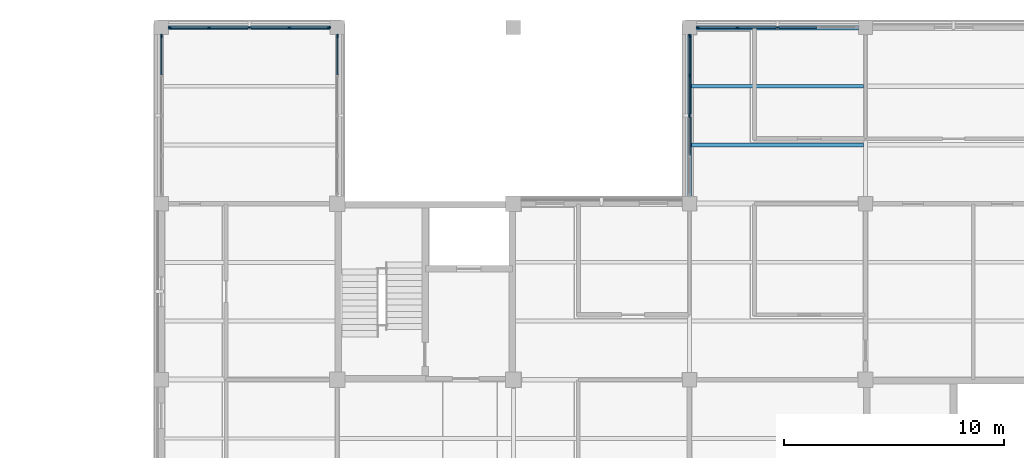
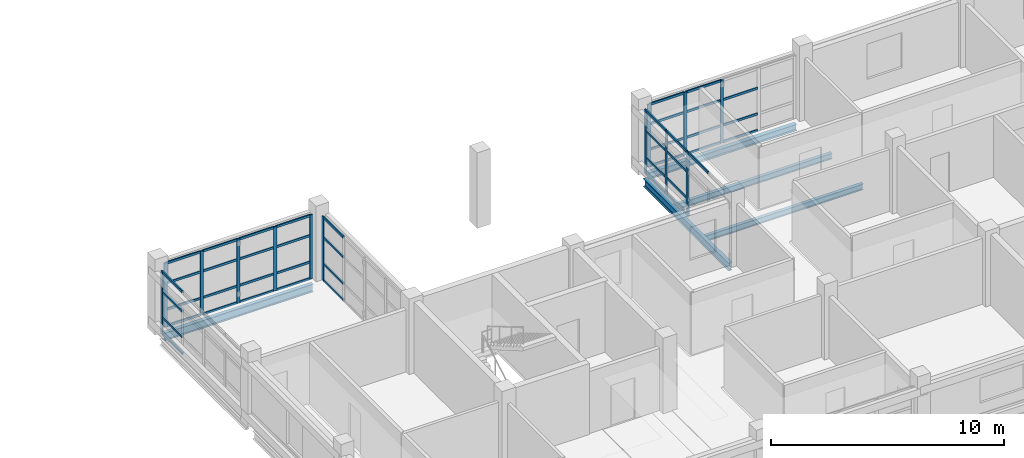
# One storey, part 53 of 107: 57 members, 5 beams, 5 elements without a shape of their own.
"""IFC4 building model written with IfcOpenShell, lengths in metres."""

from ifc_helpers import new_model, si_unit, derived_unit, direction, frame, origin, origin_2d, place, context, subcontext, project, spatial, rectangle, i_section, extrude, material, layer, layer_set, material_profile, profile_set, type_object, element, aggregate, save


model = new_model("IFC4")

# Units and contexts
model_context = context("Model", 3, precision=1e-05, world=origin(), true_north=direction((0.0, 1.0)))
body_context = subcontext(model_context, "Body", "Model", "MODEL_VIEW")
ifc_project = project(units=[si_unit("LENGTHUNIT", "METRE"), si_unit("AREAUNIT", "SQUARE_METRE"), si_unit("VOLUMEUNIT", "CUBIC_METRE"), si_unit("PLANEANGLEUNIT", "RADIAN"), si_unit("MASSUNIT", "GRAM", prefix="KILO"), derived_unit("THERMALTRANSMITTANCEUNIT", [(si_unit("MASSUNIT", "GRAM", prefix="KILO"), 1), (si_unit("TIMEUNIT", "SECOND"), -3), (si_unit("THERMODYNAMICTEMPERATUREUNIT", "KELVIN"), -1)])], contexts=[model_context])

# Site, building, storey
site_placement = place(None, origin())
site = spatial("IfcSite", under=ifc_project, at=site_placement, CompositionType="ELEMENT")
building_placement = place(site_placement, origin())
building = spatial("IfcBuilding", under=site, at=building_placement, Name="Veyamyaing Civic Hall", CompositionType="ELEMENT")
storey_placement = place(building_placement, frame((0.0, 0.0, 13.860107421875)))
storey = spatial("IfcBuildingStorey", under=building, at=storey_placement, Name="L03", CompositionType="ELEMENT", Elevation=13.860107421875)

# Beams
ifc_material_1 = material(Name="Steel ASTM A992", Category="steel")
ifc_material_profile_1 = material_profile(ifc_material_1, i_section(OverallWidth=0.179931640625, OverallDepth=0.4130859375, WebThickness=0.009765625, FlangeThickness=0.01611328125, FilletRadius=0.010009765625, at=origin_2d()), Name="W410X74")
ifc_profile_set_1 = profile_set([ifc_material_profile_1], Name="Steel ASTM A992")
beam_type_1 = type_object("IfcBeamType", Name="B-10", PredefinedType="SPANDREL", material=ifc_profile_set_1)
beam_1_placement = place(storey_placement, frame((152.0, 104.324951171875, -0.461669921875), z_axis=(0.0, 1.0, 0.0), x_axis=(-1.0, 0.0, 0.0)))
element("IfcBeam", 1, at=beam_1_placement, inside=storey, type_object=beam_type_1, Name="Girder B-10 L03 Grid 20 P-Q", PredefinedType="SPANDREL", context=body_context, shape_type="SweptSolid", body=[
    extrude(i_section(OverallWidth=0.179931640625, OverallDepth=0.4130859375, WebThickness=0.009765625, FlangeThickness=0.01611328125, FilletRadius=0.010009765625, at=origin_2d()), origin(), (0.0, 0.0, 1.0), 7.35009765625),
])
ifc_material_profile_2 = material_profile(ifc_material_1, i_section(OverallWidth=0.2041015625, OverallDepth=0.35009765625, WebThickness=0.0078125, FlangeThickness=0.01513671875, FilletRadius=0.010009765625, at=origin_2d()), Name="W360X72")
ifc_profile_set_2 = profile_set([ifc_material_profile_2], Name="Steel ASTM A992")
beam_type_2 = type_object("IfcBeamType", Name="B-11", PredefinedType="SPANDREL", material=ifc_profile_set_2)
beam_2_placement = place(storey_placement, frame((152.324951171875, 112.0, -0.43017578125), z_axis=(1.0, 0.0, 0.0), x_axis=(0.0, 1.0, 0.0)))
element("IfcBeam", 2, at=beam_2_placement, inside=storey, type_object=beam_type_2, Name="Girder B-11 L03 Grid Q 20-21", PredefinedType="SPANDREL", context=body_context, shape_type="SweptSolid", body=[
    extrude(i_section(OverallWidth=0.2041015625, OverallDepth=0.35009765625, WebThickness=0.0078125, FlangeThickness=0.01513671875, FilletRadius=0.010009765625, at=origin_2d()), origin(), (0.0, 0.0, 1.0), 7.35009765625),
])
ifc_material_profile_3 = material_profile(ifc_material_1, i_section(OverallWidth=0.180908203125, OverallDepth=0.4169921875, WebThickness=0.010986328125, FlangeThickness=0.018310546875, FilletRadius=0.010009765625, at=origin_2d()), Name="W410X85")
ifc_profile_set_3 = profile_set([ifc_material_profile_3], Name="Steel ASTM A992")
beam_type_3 = type_object("IfcBeamType", Name="B-19", PredefinedType="SPANDREL", material=ifc_profile_set_3)
beam_3_placement = place(storey_placement, frame((128.324951171875, 112.0, -0.463623046875), z_axis=(1.0, 0.0, 0.0), x_axis=(0.0, 1.0, 0.0)))
element("IfcBeam", 3, at=beam_3_placement, inside=storey, type_object=beam_type_3, Name="Girder B-19 L03 Grid Q 17-18", PredefinedType="SPANDREL", context=body_context, shape_type="SweptSolid", body=[
    extrude(i_section(OverallWidth=0.180908203125, OverallDepth=0.4169921875, WebThickness=0.010986328125, FlangeThickness=0.018310546875, FilletRadius=0.010009765625, at=origin_2d()), origin(), (0.0, 0.0, 1.0), 7.35009765625),
])

# Curtain wall, members
ifc_material_2 = material(Name="Anodised aluminium 6063-T6", Category="aluminium")
ifc_layer = layer(ifc_material_2, 0.159912109375, Name="Anodised aluminium 6063-T6")
ifc_layer_set = layer_set([ifc_layer], Name="Anodised aluminium 6063-T6")
curtain_wall_type = type_object("IfcCurtainWallType", Name="CW-07", PredefinedType="NOTDEFINED", material=ifc_layer_set)
curtain_wall_1_placement = place(storey_placement, origin())
curtain_wall_1 = element("IfcCurtainWall", 4, at=curtain_wall_1_placement, inside=storey, type_object=curtain_wall_type, Name="Unitized curtain wall CW-07 L03 N 17.14", PredefinedType="NOTDEFINED")
ifc_material_profile_4 = material_profile(ifc_material_2, rectangle(XDim=0.06494140625, YDim=0.159912109375, at=origin_2d()), Name="ALU-MUL-65X160")
ifc_profile_set_4 = profile_set([ifc_material_profile_4], Name="Anodised aluminium 6063-T6")
member_type_1 = type_object("IfcMemberType", Name="CWM-01", PredefinedType="MULLION", material=ifc_profile_set_4)
member_1_placement = place(storey_placement, frame((128.387451171875, 112.0, 0.0), z_axis=(0.0, 0.0, 1.0), x_axis=(0.0, 1.0, 0.0)))
member_1 = element("IfcMember", 5, at=member_1_placement, type_object=member_type_1, Name="CW-07 mullion 1", PredefinedType="MULLION", context=body_context, shape_type="SweptSolid", body=[
    extrude(rectangle(XDim=0.06494140625, YDim=0.159912109375, at=origin_2d()), origin(), (0.0, 0.0, 1.0), 3.364013671875),
])
member_2_placement = place(storey_placement, frame((130.177490234375, 112.0, 0.0), z_axis=(0.0, 0.0, 1.0), x_axis=(0.0, 1.0, 0.0)))
member_2 = element("IfcMember", 6, at=member_2_placement, type_object=member_type_1, Name="CW-07 mullion 2", PredefinedType="MULLION", context=body_context, shape_type="SweptSolid", body=[
    extrude(rectangle(XDim=0.06494140625, YDim=0.159912109375, at=origin_2d()), origin(), (0.0, 0.0, 1.0), 3.364013671875),
])
member_3_placement = place(storey_placement, frame((132.0, 112.0, 0.0), z_axis=(0.0, 0.0, 1.0), x_axis=(0.0, 1.0, 0.0)))
member_3 = element("IfcMember", 7, at=member_3_placement, type_object=member_type_1, Name="CW-07 mullion 3", PredefinedType="MULLION", context=body_context, shape_type="SweptSolid", body=[
    extrude(rectangle(XDim=0.06494140625, YDim=0.159912109375, at=origin_2d()), origin(), (0.0, 0.0, 1.0), 3.364013671875),
])
member_4_placement = place(storey_placement, frame((133.822509765625, 112.0, 0.0), z_axis=(0.0, 0.0, 1.0), x_axis=(0.0, 1.0, 0.0)))
member_4 = element("IfcMember", 8, at=member_4_placement, type_object=member_type_1, Name="CW-07 mullion 4", PredefinedType="MULLION", context=body_context, shape_type="SweptSolid", body=[
    extrude(rectangle(XDim=0.06494140625, YDim=0.159912109375, at=origin_2d()), origin(), (0.0, 0.0, 1.0), 3.364013671875),
])
member_5_placement = place(storey_placement, frame((135.612548828125, 112.0, 0.0), z_axis=(0.0, 0.0, 1.0), x_axis=(0.0, 1.0, 0.0)))
member_5 = element("IfcMember", 9, at=member_5_placement, type_object=member_type_1, Name="CW-07 mullion 5", PredefinedType="MULLION", context=body_context, shape_type="SweptSolid", body=[
    extrude(rectangle(XDim=0.06494140625, YDim=0.159912109375, at=origin_2d()), origin(), (0.0, 0.0, 1.0), 3.364013671875),
])

# Curtain wall, member
curtain_wall_2_placement = place(storey_placement, origin())
curtain_wall_2 = element("IfcCurtainWall", 10, at=curtain_wall_2_placement, inside=storey, type_object=curtain_wall_type, Name="Unitized curtain wall CW-07 L03 W 17.14", PredefinedType="NOTDEFINED")
member_6_placement = place(storey_placement, frame((128.0, 111.612548828125, 0.0), z_axis=(0.0, 0.0, 1.0), x_axis=(-1.0, 0.0, 0.0)))
member_6 = element("IfcMember", 11, at=member_6_placement, type_object=member_type_1, Name="CW-07 mullion 5", PredefinedType="MULLION", context=body_context, shape_type="SweptSolid", body=[
    extrude(rectangle(XDim=0.06494140625, YDim=0.159912109375, at=origin_2d()), origin(), (0.0, 0.0, 1.0), 3.2998046875),
])

curtain_wall_3_placement = place(storey_placement, origin())
curtain_wall_3 = element("IfcCurtainWall", 12, at=curtain_wall_3_placement, inside=storey, type_object=curtain_wall_type, Name="Unitized curtain wall CW-07 L03 E 17.14", PredefinedType="NOTDEFINED")
member_7_placement = place(storey_placement, frame((136.0, 111.612548828125, 0.0), z_axis=(0.0, 0.0, 1.0), x_axis=(-1.0, 0.0, 0.0)))
member_7 = element("IfcMember", 13, at=member_7_placement, type_object=member_type_1, Name="CW-07 mullion 5", PredefinedType="MULLION", context=body_context, shape_type="SweptSolid", body=[
    extrude(rectangle(XDim=0.06494140625, YDim=0.159912109375, at=origin_2d()), origin(), (0.0, 0.0, 1.0), 3.364013671875),
])

# Curtain wall, members
curtain_wall_4_placement = place(storey_placement, origin())
curtain_wall_4 = element("IfcCurtainWall", 14, at=curtain_wall_4_placement, inside=storey, type_object=curtain_wall_type, Name="Unitized curtain wall CW-07 L03 N 20.14", PredefinedType="NOTDEFINED")
member_8_placement = place(storey_placement, frame((152.387451171875, 112.0, 0.0), z_axis=(0.0, 0.0, 1.0), x_axis=(0.0, 1.0, 0.0)))
member_8 = element("IfcMember", 15, at=member_8_placement, type_object=member_type_1, Name="CW-07 mullion 1", PredefinedType="MULLION", context=body_context, shape_type="SweptSolid", body=[
    extrude(rectangle(XDim=0.06494140625, YDim=0.159912109375, at=origin_2d()), origin(), (0.0, 0.0, 1.0), 3.2998046875),
])
member_9_placement = place(storey_placement, frame((154.177490234375, 112.0, 0.0), z_axis=(0.0, 0.0, 1.0), x_axis=(0.0, 1.0, 0.0)))
member_9 = element("IfcMember", 16, at=member_9_placement, type_object=member_type_1, Name="CW-07 mullion 2", PredefinedType="MULLION", context=body_context, shape_type="SweptSolid", body=[
    extrude(rectangle(XDim=0.06494140625, YDim=0.159912109375, at=origin_2d()), origin(), (0.0, 0.0, 1.0), 3.2998046875),
])
member_10_placement = place(storey_placement, frame((156.0, 112.0, 0.0), z_axis=(0.0, 0.0, 1.0), x_axis=(0.0, 1.0, 0.0)))
member_10 = element("IfcMember", 17, at=member_10_placement, type_object=member_type_1, Name="CW-07 mullion 3", PredefinedType="MULLION", context=body_context, shape_type="SweptSolid", body=[
    extrude(rectangle(XDim=0.06494140625, YDim=0.159912109375, at=origin_2d()), origin(), (0.0, 0.0, 1.0), 3.2998046875),
])

curtain_wall_5_placement = place(storey_placement, origin())
curtain_wall_5 = element("IfcCurtainWall", 18, at=curtain_wall_5_placement, inside=storey, type_object=curtain_wall_type, Name="Unitized curtain wall CW-07 L03 W 20.14", PredefinedType="NOTDEFINED")
member_11_placement = place(storey_placement, frame((152.0, 108.0, 0.0), z_axis=(0.0, 0.0, 1.0), x_axis=(-1.0, 0.0, 0.0)))
member_11 = element("IfcMember", 19, at=member_11_placement, type_object=member_type_1, Name="CW-07 mullion 3", PredefinedType="MULLION", context=body_context, shape_type="SweptSolid", body=[
    extrude(rectangle(XDim=0.06494140625, YDim=0.159912109375, at=origin_2d()), origin(), (0.0, 0.0, 1.0), 3.366943359375),
])
member_12_placement = place(storey_placement, frame((152.0, 109.822509765625, 0.0), z_axis=(0.0, 0.0, 1.0), x_axis=(-1.0, 0.0, 0.0)))
member_12 = element("IfcMember", 20, at=member_12_placement, type_object=member_type_1, Name="CW-07 mullion 4", PredefinedType="MULLION", context=body_context, shape_type="SweptSolid", body=[
    extrude(rectangle(XDim=0.06494140625, YDim=0.159912109375, at=origin_2d()), origin(), (0.0, 0.0, 1.0), 3.366943359375),
])
member_13_placement = place(storey_placement, frame((152.0, 111.612548828125, 0.0), z_axis=(0.0, 0.0, 1.0), x_axis=(-1.0, 0.0, 0.0)))
member_13 = element("IfcMember", 21, at=member_13_placement, type_object=member_type_1, Name="CW-07 mullion 5", PredefinedType="MULLION", context=body_context, shape_type="SweptSolid", body=[
    extrude(rectangle(XDim=0.06494140625, YDim=0.159912109375, at=origin_2d()), origin(), (0.0, 0.0, 1.0), 3.366943359375),
])

# Member
ifc_material_profile_5 = material_profile(ifc_material_2, rectangle(XDim=0.06494140625, YDim=0.1201171875, at=origin_2d()), Name="ALU-TRN-65X120")
ifc_profile_set_5 = profile_set([ifc_material_profile_5], Name="Anodised aluminium 6063-T6")
member_type_2 = type_object("IfcMemberType", Name="CWT-01", PredefinedType="USERDEFINED", material=ifc_profile_set_5)
member_14_placement = place(storey_placement, frame((128.419921875, 112.0, 0.032470703125), z_axis=(1.0, 0.0, 0.0), x_axis=(0.0, 1.0, 0.0)))
member_14 = element("IfcMember", 22, at=member_14_placement, type_object=member_type_2, Name="CW-07 transom 1.1", ObjectType="TRANSOM", PredefinedType="USERDEFINED", context=body_context, shape_type="SweptSolid", body=[
    extrude(rectangle(XDim=0.06494140625, YDim=0.1201171875, at=origin_2d()), origin(), (0.0, 0.0, 1.0), 1.72509765625),
])

member_15_placement = place(storey_placement, frame((128.419921875, 112.0, 0.89990234375), z_axis=(1.0, 0.0, 0.0), x_axis=(0.0, 1.0, 0.0)))
member_15 = element("IfcMember", 23, at=member_15_placement, type_object=member_type_2, Name="CW-07 transom 1.2", ObjectType="TRANSOM", PredefinedType="USERDEFINED", context=body_context, shape_type="SweptSolid", body=[
    extrude(rectangle(XDim=0.06494140625, YDim=0.1201171875, at=origin_2d()), origin(), (0.0, 0.0, 1.0), 1.72509765625),
])

member_16_placement = place(storey_placement, frame((128.419921875, 112.0, 2.287353515625), z_axis=(1.0, 0.0, 0.0), x_axis=(0.0, 1.0, 0.0)))
member_16 = element("IfcMember", 24, at=member_16_placement, type_object=member_type_2, Name="CW-07 transom 1.3", ObjectType="TRANSOM", PredefinedType="USERDEFINED", context=body_context, shape_type="SweptSolid", body=[
    extrude(rectangle(XDim=0.06494140625, YDim=0.1201171875, at=origin_2d()), origin(), (0.0, 0.0, 1.0), 1.72509765625),
])

member_17_placement = place(storey_placement, frame((128.419921875, 112.0, 3.331298828125), z_axis=(1.0, 0.0, 0.0), x_axis=(0.0, 1.0, 0.0)))
member_17 = element("IfcMember", 25, at=member_17_placement, type_object=member_type_2, Name="CW-07 transom 1.4", ObjectType="TRANSOM", PredefinedType="USERDEFINED", context=body_context, shape_type="SweptSolid", body=[
    extrude(rectangle(XDim=0.06494140625, YDim=0.1201171875, at=origin_2d()), origin(), (0.0, 0.0, 1.0), 1.72509765625),
])

member_18_placement = place(storey_placement, frame((130.2099609375, 112.0, 0.032470703125), z_axis=(1.0, 0.0, 0.0), x_axis=(0.0, 1.0, 0.0)))
member_18 = element("IfcMember", 26, at=member_18_placement, type_object=member_type_2, Name="CW-07 transom 2.1", ObjectType="TRANSOM", PredefinedType="USERDEFINED", context=body_context, shape_type="SweptSolid", body=[
    extrude(rectangle(XDim=0.06494140625, YDim=0.1201171875, at=origin_2d()), origin(), (0.0, 0.0, 1.0), 1.757568359375),
])

member_19_placement = place(storey_placement, frame((130.2099609375, 112.0, 0.89990234375), z_axis=(1.0, 0.0, 0.0), x_axis=(0.0, 1.0, 0.0)))
member_19 = element("IfcMember", 27, at=member_19_placement, type_object=member_type_2, Name="CW-07 transom 2.2", ObjectType="TRANSOM", PredefinedType="USERDEFINED", context=body_context, shape_type="SweptSolid", body=[
    extrude(rectangle(XDim=0.06494140625, YDim=0.1201171875, at=origin_2d()), origin(), (0.0, 0.0, 1.0), 1.757568359375),
])

member_20_placement = place(storey_placement, frame((130.2099609375, 112.0, 2.287353515625), z_axis=(1.0, 0.0, 0.0), x_axis=(0.0, 1.0, 0.0)))
member_20 = element("IfcMember", 28, at=member_20_placement, type_object=member_type_2, Name="CW-07 transom 2.3", ObjectType="TRANSOM", PredefinedType="USERDEFINED", context=body_context, shape_type="SweptSolid", body=[
    extrude(rectangle(XDim=0.06494140625, YDim=0.1201171875, at=origin_2d()), origin(), (0.0, 0.0, 1.0), 1.757568359375),
])

member_21_placement = place(storey_placement, frame((130.2099609375, 112.0, 3.331298828125), z_axis=(1.0, 0.0, 0.0), x_axis=(0.0, 1.0, 0.0)))
member_21 = element("IfcMember", 29, at=member_21_placement, type_object=member_type_2, Name="CW-07 transom 2.4", ObjectType="TRANSOM", PredefinedType="USERDEFINED", context=body_context, shape_type="SweptSolid", body=[
    extrude(rectangle(XDim=0.06494140625, YDim=0.1201171875, at=origin_2d()), origin(), (0.0, 0.0, 1.0), 1.757568359375),
])

member_22_placement = place(storey_placement, frame((132.032470703125, 112.0, 0.032470703125), z_axis=(1.0, 0.0, 0.0), x_axis=(0.0, 1.0, 0.0)))
member_22 = element("IfcMember", 30, at=member_22_placement, type_object=member_type_2, Name="CW-07 transom 3.1", ObjectType="TRANSOM", PredefinedType="USERDEFINED", context=body_context, shape_type="SweptSolid", body=[
    extrude(rectangle(XDim=0.06494140625, YDim=0.1201171875, at=origin_2d()), origin(), (0.0, 0.0, 1.0), 1.757568359375),
])

member_23_placement = place(storey_placement, frame((132.032470703125, 112.0, 0.89990234375), z_axis=(1.0, 0.0, 0.0), x_axis=(0.0, 1.0, 0.0)))
member_23 = element("IfcMember", 31, at=member_23_placement, type_object=member_type_2, Name="CW-07 transom 3.2", ObjectType="TRANSOM", PredefinedType="USERDEFINED", context=body_context, shape_type="SweptSolid", body=[
    extrude(rectangle(XDim=0.06494140625, YDim=0.1201171875, at=origin_2d()), origin(), (0.0, 0.0, 1.0), 1.757568359375),
])

member_24_placement = place(storey_placement, frame((132.032470703125, 112.0, 2.287353515625), z_axis=(1.0, 0.0, 0.0), x_axis=(0.0, 1.0, 0.0)))
member_24 = element("IfcMember", 32, at=member_24_placement, type_object=member_type_2, Name="CW-07 transom 3.3", ObjectType="TRANSOM", PredefinedType="USERDEFINED", context=body_context, shape_type="SweptSolid", body=[
    extrude(rectangle(XDim=0.06494140625, YDim=0.1201171875, at=origin_2d()), origin(), (0.0, 0.0, 1.0), 1.757568359375),
])

member_25_placement = place(storey_placement, frame((132.032470703125, 112.0, 3.331298828125), z_axis=(1.0, 0.0, 0.0), x_axis=(0.0, 1.0, 0.0)))
member_25 = element("IfcMember", 33, at=member_25_placement, type_object=member_type_2, Name="CW-07 transom 3.4", ObjectType="TRANSOM", PredefinedType="USERDEFINED", context=body_context, shape_type="SweptSolid", body=[
    extrude(rectangle(XDim=0.06494140625, YDim=0.1201171875, at=origin_2d()), origin(), (0.0, 0.0, 1.0), 1.757568359375),
])

member_26_placement = place(storey_placement, frame((133.85498046875, 112.0, 0.032470703125), z_axis=(1.0, 0.0, 0.0), x_axis=(0.0, 1.0, 0.0)))
member_26 = element("IfcMember", 34, at=member_26_placement, type_object=member_type_2, Name="CW-07 transom 4.1", ObjectType="TRANSOM", PredefinedType="USERDEFINED", context=body_context, shape_type="SweptSolid", body=[
    extrude(rectangle(XDim=0.06494140625, YDim=0.1201171875, at=origin_2d()), origin(), (0.0, 0.0, 1.0), 1.72509765625),
])

member_27_placement = place(storey_placement, frame((133.85498046875, 112.0, 0.89990234375), z_axis=(1.0, 0.0, 0.0), x_axis=(0.0, 1.0, 0.0)))
member_27 = element("IfcMember", 35, at=member_27_placement, type_object=member_type_2, Name="CW-07 transom 4.2", ObjectType="TRANSOM", PredefinedType="USERDEFINED", context=body_context, shape_type="SweptSolid", body=[
    extrude(rectangle(XDim=0.06494140625, YDim=0.1201171875, at=origin_2d()), origin(), (0.0, 0.0, 1.0), 1.72509765625),
])

member_28_placement = place(storey_placement, frame((133.85498046875, 112.0, 2.287353515625), z_axis=(1.0, 0.0, 0.0), x_axis=(0.0, 1.0, 0.0)))
member_28 = element("IfcMember", 36, at=member_28_placement, type_object=member_type_2, Name="CW-07 transom 4.3", ObjectType="TRANSOM", PredefinedType="USERDEFINED", context=body_context, shape_type="SweptSolid", body=[
    extrude(rectangle(XDim=0.06494140625, YDim=0.1201171875, at=origin_2d()), origin(), (0.0, 0.0, 1.0), 1.72509765625),
])

member_29_placement = place(storey_placement, frame((133.85498046875, 112.0, 3.331298828125), z_axis=(1.0, 0.0, 0.0), x_axis=(0.0, 1.0, 0.0)))
member_29 = element("IfcMember", 37, at=member_29_placement, type_object=member_type_2, Name="CW-07 transom 4.4", ObjectType="TRANSOM", PredefinedType="USERDEFINED", context=body_context, shape_type="SweptSolid", body=[
    extrude(rectangle(XDim=0.06494140625, YDim=0.1201171875, at=origin_2d()), origin(), (0.0, 0.0, 1.0), 1.72509765625),
])

aggregate(curtain_wall_1, [member_1, member_2, member_3, member_4, member_5, member_14, member_15, member_16, member_17, member_18, member_19, member_20, member_21, member_22, member_23, member_24, member_25, member_26, member_27, member_28, member_29])

member_30_placement = place(storey_placement, frame((128.0, 109.85498046875, 0.032470703125), z_axis=(0.0, 1.0, 0.0), x_axis=(-1.0, 0.0, 0.0)))
member_30 = element("IfcMember", 38, at=member_30_placement, type_object=member_type_2, Name="CW-07 transom 4.1", ObjectType="TRANSOM", PredefinedType="USERDEFINED", context=body_context, shape_type="SweptSolid", body=[
    extrude(rectangle(XDim=0.06494140625, YDim=0.1201171875, at=origin_2d()), origin(), (0.0, 0.0, 1.0), 1.72509765625),
])

member_31_placement = place(storey_placement, frame((128.0, 109.85498046875, 0.89990234375), z_axis=(0.0, 1.0, 0.0), x_axis=(-1.0, 0.0, 0.0)))
member_31 = element("IfcMember", 39, at=member_31_placement, type_object=member_type_2, Name="CW-07 transom 4.2", ObjectType="TRANSOM", PredefinedType="USERDEFINED", context=body_context, shape_type="SweptSolid", body=[
    extrude(rectangle(XDim=0.06494140625, YDim=0.1201171875, at=origin_2d()), origin(), (0.0, 0.0, 1.0), 1.72509765625),
])

member_32_placement = place(storey_placement, frame((128.0, 109.85498046875, 2.243896484375), z_axis=(0.0, 1.0, 0.0), x_axis=(-1.0, 0.0, 0.0)))
member_32 = element("IfcMember", 40, at=member_32_placement, type_object=member_type_2, Name="CW-07 transom 4.3", ObjectType="TRANSOM", PredefinedType="USERDEFINED", context=body_context, shape_type="SweptSolid", body=[
    extrude(rectangle(XDim=0.06494140625, YDim=0.1201171875, at=origin_2d()), origin(), (0.0, 0.0, 1.0), 1.72509765625),
])

member_33_placement = place(storey_placement, frame((128.0, 109.85498046875, 3.267333984375), z_axis=(0.0, 1.0, 0.0), x_axis=(-1.0, 0.0, 0.0)))
member_33 = element("IfcMember", 41, at=member_33_placement, type_object=member_type_2, Name="CW-07 transom 4.4", ObjectType="TRANSOM", PredefinedType="USERDEFINED", context=body_context, shape_type="SweptSolid", body=[
    extrude(rectangle(XDim=0.06494140625, YDim=0.1201171875, at=origin_2d()), origin(), (0.0, 0.0, 1.0), 1.72509765625),
])

aggregate(curtain_wall_2, [member_6, member_30, member_31, member_32, member_33])

member_34_placement = place(storey_placement, frame((136.0, 109.861328125, 0.032470703125), z_axis=(0.0, 1.0, 0.0), x_axis=(-1.0, 0.0, 0.0)))
member_34 = element("IfcMember", 42, at=member_34_placement, type_object=member_type_2, Name="CW-07 transom 4.1", ObjectType="TRANSOM", PredefinedType="USERDEFINED", context=body_context, shape_type="SweptSolid", body=[
    extrude(rectangle(XDim=0.06494140625, YDim=0.1201171875, at=origin_2d()), origin(), (0.0, 0.0, 1.0), 1.71875),
])

member_35_placement = place(storey_placement, frame((136.0, 109.861328125, 0.89990234375), z_axis=(0.0, 1.0, 0.0), x_axis=(-1.0, 0.0, 0.0)))
member_35 = element("IfcMember", 43, at=member_35_placement, type_object=member_type_2, Name="CW-07 transom 4.2", ObjectType="TRANSOM", PredefinedType="USERDEFINED", context=body_context, shape_type="SweptSolid", body=[
    extrude(rectangle(XDim=0.06494140625, YDim=0.1201171875, at=origin_2d()), origin(), (0.0, 0.0, 1.0), 1.71875),
])

member_36_placement = place(storey_placement, frame((136.0, 109.861328125, 2.287353515625), z_axis=(0.0, 1.0, 0.0), x_axis=(-1.0, 0.0, 0.0)))
member_36 = element("IfcMember", 44, at=member_36_placement, type_object=member_type_2, Name="CW-07 transom 4.3", ObjectType="TRANSOM", PredefinedType="USERDEFINED", context=body_context, shape_type="SweptSolid", body=[
    extrude(rectangle(XDim=0.06494140625, YDim=0.1201171875, at=origin_2d()), origin(), (0.0, 0.0, 1.0), 1.71875),
])

member_37_placement = place(storey_placement, frame((136.0, 109.861328125, 3.331298828125), z_axis=(0.0, 1.0, 0.0), x_axis=(-1.0, 0.0, 0.0)))
member_37 = element("IfcMember", 45, at=member_37_placement, type_object=member_type_2, Name="CW-07 transom 4.4", ObjectType="TRANSOM", PredefinedType="USERDEFINED", context=body_context, shape_type="SweptSolid", body=[
    extrude(rectangle(XDim=0.06494140625, YDim=0.1201171875, at=origin_2d()), origin(), (0.0, 0.0, 1.0), 1.71875),
])

aggregate(curtain_wall_3, [member_7, member_34, member_35, member_36, member_37])

member_38_placement = place(storey_placement, frame((152.419921875, 112.0, 0.032470703125), z_axis=(1.0, 0.0, 0.0), x_axis=(0.0, 1.0, 0.0)))
member_38 = element("IfcMember", 46, at=member_38_placement, type_object=member_type_2, Name="CW-07 transom 1.1", ObjectType="TRANSOM", PredefinedType="USERDEFINED", context=body_context, shape_type="SweptSolid", body=[
    extrude(rectangle(XDim=0.06494140625, YDim=0.1201171875, at=origin_2d()), origin(), (0.0, 0.0, 1.0), 1.72509765625),
])

member_39_placement = place(storey_placement, frame((152.419921875, 112.0, 0.89990234375), z_axis=(1.0, 0.0, 0.0), x_axis=(0.0, 1.0, 0.0)))
member_39 = element("IfcMember", 47, at=member_39_placement, type_object=member_type_2, Name="CW-07 transom 1.2", ObjectType="TRANSOM", PredefinedType="USERDEFINED", context=body_context, shape_type="SweptSolid", body=[
    extrude(rectangle(XDim=0.06494140625, YDim=0.1201171875, at=origin_2d()), origin(), (0.0, 0.0, 1.0), 1.72509765625),
])

member_40_placement = place(storey_placement, frame((152.419921875, 112.0, 2.243896484375), z_axis=(1.0, 0.0, 0.0), x_axis=(0.0, 1.0, 0.0)))
member_40 = element("IfcMember", 48, at=member_40_placement, type_object=member_type_2, Name="CW-07 transom 1.3", ObjectType="TRANSOM", PredefinedType="USERDEFINED", context=body_context, shape_type="SweptSolid", body=[
    extrude(rectangle(XDim=0.06494140625, YDim=0.1201171875, at=origin_2d()), origin(), (0.0, 0.0, 1.0), 1.72509765625),
])

member_41_placement = place(storey_placement, frame((152.419921875, 112.0, 3.267333984375), z_axis=(1.0, 0.0, 0.0), x_axis=(0.0, 1.0, 0.0)))
member_41 = element("IfcMember", 49, at=member_41_placement, type_object=member_type_2, Name="CW-07 transom 1.4", ObjectType="TRANSOM", PredefinedType="USERDEFINED", context=body_context, shape_type="SweptSolid", body=[
    extrude(rectangle(XDim=0.06494140625, YDim=0.1201171875, at=origin_2d()), origin(), (0.0, 0.0, 1.0), 1.72509765625),
])

member_42_placement = place(storey_placement, frame((154.2099609375, 112.0, 0.032470703125), z_axis=(1.0, 0.0, 0.0), x_axis=(0.0, 1.0, 0.0)))
member_42 = element("IfcMember", 50, at=member_42_placement, type_object=member_type_2, Name="CW-07 transom 2.1", ObjectType="TRANSOM", PredefinedType="USERDEFINED", context=body_context, shape_type="SweptSolid", body=[
    extrude(rectangle(XDim=0.06494140625, YDim=0.1201171875, at=origin_2d()), origin(), (0.0, 0.0, 1.0), 1.757568359375),
])

member_43_placement = place(storey_placement, frame((154.2099609375, 112.0, 0.89990234375), z_axis=(1.0, 0.0, 0.0), x_axis=(0.0, 1.0, 0.0)))
member_43 = element("IfcMember", 51, at=member_43_placement, type_object=member_type_2, Name="CW-07 transom 2.2", ObjectType="TRANSOM", PredefinedType="USERDEFINED", context=body_context, shape_type="SweptSolid", body=[
    extrude(rectangle(XDim=0.06494140625, YDim=0.1201171875, at=origin_2d()), origin(), (0.0, 0.0, 1.0), 1.757568359375),
])

member_44_placement = place(storey_placement, frame((154.2099609375, 112.0, 2.243896484375), z_axis=(1.0, 0.0, 0.0), x_axis=(0.0, 1.0, 0.0)))
member_44 = element("IfcMember", 52, at=member_44_placement, type_object=member_type_2, Name="CW-07 transom 2.3", ObjectType="TRANSOM", PredefinedType="USERDEFINED", context=body_context, shape_type="SweptSolid", body=[
    extrude(rectangle(XDim=0.06494140625, YDim=0.1201171875, at=origin_2d()), origin(), (0.0, 0.0, 1.0), 1.757568359375),
])

member_45_placement = place(storey_placement, frame((154.2099609375, 112.0, 3.267333984375), z_axis=(1.0, 0.0, 0.0), x_axis=(0.0, 1.0, 0.0)))
member_45 = element("IfcMember", 53, at=member_45_placement, type_object=member_type_2, Name="CW-07 transom 2.4", ObjectType="TRANSOM", PredefinedType="USERDEFINED", context=body_context, shape_type="SweptSolid", body=[
    extrude(rectangle(XDim=0.06494140625, YDim=0.1201171875, at=origin_2d()), origin(), (0.0, 0.0, 1.0), 1.757568359375),
])

member_46_placement = place(storey_placement, frame((156.032470703125, 112.0, 0.032470703125), z_axis=(1.0, 0.0, 0.0), x_axis=(0.0, 1.0, 0.0)))
member_46 = element("IfcMember", 54, at=member_46_placement, type_object=member_type_2, Name="CW-07 transom 3.1", ObjectType="TRANSOM", PredefinedType="USERDEFINED", context=body_context, shape_type="SweptSolid", body=[
    extrude(rectangle(XDim=0.06494140625, YDim=0.1201171875, at=origin_2d()), origin(), (0.0, 0.0, 1.0), 1.757568359375),
])

member_47_placement = place(storey_placement, frame((156.032470703125, 112.0, 0.89990234375), z_axis=(1.0, 0.0, 0.0), x_axis=(0.0, 1.0, 0.0)))
member_47 = element("IfcMember", 55, at=member_47_placement, type_object=member_type_2, Name="CW-07 transom 3.2", ObjectType="TRANSOM", PredefinedType="USERDEFINED", context=body_context, shape_type="SweptSolid", body=[
    extrude(rectangle(XDim=0.06494140625, YDim=0.1201171875, at=origin_2d()), origin(), (0.0, 0.0, 1.0), 1.757568359375),
])

member_48_placement = place(storey_placement, frame((156.032470703125, 112.0, 2.243896484375), z_axis=(1.0, 0.0, 0.0), x_axis=(0.0, 1.0, 0.0)))
member_48 = element("IfcMember", 56, at=member_48_placement, type_object=member_type_2, Name="CW-07 transom 3.3", ObjectType="TRANSOM", PredefinedType="USERDEFINED", context=body_context, shape_type="SweptSolid", body=[
    extrude(rectangle(XDim=0.06494140625, YDim=0.1201171875, at=origin_2d()), origin(), (0.0, 0.0, 1.0), 1.757568359375),
])

aggregate(curtain_wall_4, [member_8, member_9, member_10, member_38, member_39, member_40, member_41, member_42, member_43, member_44, member_45, member_46, member_47, member_48])

member_49_placement = place(storey_placement, frame((152.0, 106.2099609375, 3.33447265625), z_axis=(0.0, 1.0, 0.0), x_axis=(-1.0, 0.0, 0.0)))
member_49 = element("IfcMember", 57, at=member_49_placement, type_object=member_type_2, Name="CW-07 transom 2.4", ObjectType="TRANSOM", PredefinedType="USERDEFINED", context=body_context, shape_type="SweptSolid", body=[
    extrude(rectangle(XDim=0.06494140625, YDim=0.1201171875, at=origin_2d()), origin(), (0.0, 0.0, 1.0), 1.757568359375),
])

member_50_placement = place(storey_placement, frame((152.0, 108.032470703125, 0.032470703125), z_axis=(0.0, 1.0, 0.0), x_axis=(-1.0, 0.0, 0.0)))
member_50 = element("IfcMember", 58, at=member_50_placement, type_object=member_type_2, Name="CW-07 transom 3.1", ObjectType="TRANSOM", PredefinedType="USERDEFINED", context=body_context, shape_type="SweptSolid", body=[
    extrude(rectangle(XDim=0.06494140625, YDim=0.1201171875, at=origin_2d()), origin(), (0.0, 0.0, 1.0), 1.757568359375),
])

member_51_placement = place(storey_placement, frame((152.0, 108.032470703125, 0.89990234375), z_axis=(0.0, 1.0, 0.0), x_axis=(-1.0, 0.0, 0.0)))
member_51 = element("IfcMember", 59, at=member_51_placement, type_object=member_type_2, Name="CW-07 transom 3.2", ObjectType="TRANSOM", PredefinedType="USERDEFINED", context=body_context, shape_type="SweptSolid", body=[
    extrude(rectangle(XDim=0.06494140625, YDim=0.1201171875, at=origin_2d()), origin(), (0.0, 0.0, 1.0), 1.757568359375),
])

member_52_placement = place(storey_placement, frame((152.0, 108.032470703125, 2.28955078125), z_axis=(0.0, 1.0, 0.0), x_axis=(-1.0, 0.0, 0.0)))
member_52 = element("IfcMember", 60, at=member_52_placement, type_object=member_type_2, Name="CW-07 transom 3.3", ObjectType="TRANSOM", PredefinedType="USERDEFINED", context=body_context, shape_type="SweptSolid", body=[
    extrude(rectangle(XDim=0.06494140625, YDim=0.1201171875, at=origin_2d()), origin(), (0.0, 0.0, 1.0), 1.757568359375),
])

member_53_placement = place(storey_placement, frame((152.0, 108.032470703125, 3.33447265625), z_axis=(0.0, 1.0, 0.0), x_axis=(-1.0, 0.0, 0.0)))
member_53 = element("IfcMember", 61, at=member_53_placement, type_object=member_type_2, Name="CW-07 transom 3.4", ObjectType="TRANSOM", PredefinedType="USERDEFINED", context=body_context, shape_type="SweptSolid", body=[
    extrude(rectangle(XDim=0.06494140625, YDim=0.1201171875, at=origin_2d()), origin(), (0.0, 0.0, 1.0), 1.757568359375),
])

member_54_placement = place(storey_placement, frame((152.0, 109.85498046875, 0.032470703125), z_axis=(0.0, 1.0, 0.0), x_axis=(-1.0, 0.0, 0.0)))
member_54 = element("IfcMember", 62, at=member_54_placement, type_object=member_type_2, Name="CW-07 transom 4.1", ObjectType="TRANSOM", PredefinedType="USERDEFINED", context=body_context, shape_type="SweptSolid", body=[
    extrude(rectangle(XDim=0.06494140625, YDim=0.1201171875, at=origin_2d()), origin(), (0.0, 0.0, 1.0), 1.72509765625),
])

member_55_placement = place(storey_placement, frame((152.0, 109.85498046875, 0.89990234375), z_axis=(0.0, 1.0, 0.0), x_axis=(-1.0, 0.0, 0.0)))
member_55 = element("IfcMember", 63, at=member_55_placement, type_object=member_type_2, Name="CW-07 transom 4.2", ObjectType="TRANSOM", PredefinedType="USERDEFINED", context=body_context, shape_type="SweptSolid", body=[
    extrude(rectangle(XDim=0.06494140625, YDim=0.1201171875, at=origin_2d()), origin(), (0.0, 0.0, 1.0), 1.72509765625),
])

member_56_placement = place(storey_placement, frame((152.0, 109.85498046875, 2.28955078125), z_axis=(0.0, 1.0, 0.0), x_axis=(-1.0, 0.0, 0.0)))
member_56 = element("IfcMember", 64, at=member_56_placement, type_object=member_type_2, Name="CW-07 transom 4.3", ObjectType="TRANSOM", PredefinedType="USERDEFINED", context=body_context, shape_type="SweptSolid", body=[
    extrude(rectangle(XDim=0.06494140625, YDim=0.1201171875, at=origin_2d()), origin(), (0.0, 0.0, 1.0), 1.72509765625),
])

member_57_placement = place(storey_placement, frame((152.0, 109.85498046875, 3.33447265625), z_axis=(0.0, 1.0, 0.0), x_axis=(-1.0, 0.0, 0.0)))
member_57 = element("IfcMember", 65, at=member_57_placement, type_object=member_type_2, Name="CW-07 transom 4.4", ObjectType="TRANSOM", PredefinedType="USERDEFINED", context=body_context, shape_type="SweptSolid", body=[
    extrude(rectangle(XDim=0.06494140625, YDim=0.1201171875, at=origin_2d()), origin(), (0.0, 0.0, 1.0), 1.72509765625),
])

aggregate(curtain_wall_5, [member_11, member_12, member_13, member_49, member_50, member_51, member_52, member_53, member_54, member_55, member_56, member_57])

# Beams
ifc_material_profile_6 = material_profile(ifc_material_1, i_section(OverallWidth=0.1650390625, OverallDepth=0.31005859375, WebThickness=0.005859375, FlangeThickness=0.009765625, FilletRadius=0.010009765625, at=origin_2d()), Name="W310X39")
ifc_profile_set_6 = profile_set([ifc_material_profile_6], Name="Steel ASTM A992")
beam_type_4 = type_object("IfcBeamType", Name="J-05", PredefinedType="JOIST", material=ifc_profile_set_6)
for number, where, z_axis, x_axis, name in (
    (66, (152.087890625, 106.666748046875, -0.41015625), (1.0, 0.0, 0.0), (0.0, 1.0, 0.0), "Composite floor joist J-05 L03 20.14.1"),
    (67, (152.087890625, 109.333251953125, -0.41015625), (1.0, 0.0, 0.0), (0.0, 1.0, 0.0), "Composite floor joist J-05 L03 20.14.2"),
):
    element("IfcBeam", number, at=place(storey_placement, frame(where, z_axis=z_axis, x_axis=x_axis)), inside=storey, type_object=beam_type_4, Name=name, PredefinedType="JOIST", context=body_context, shape_type="SweptSolid", body=[
        extrude(i_section(OverallWidth=0.1650390625, OverallDepth=0.31005859375, WebThickness=0.005859375, FlangeThickness=0.009765625, FilletRadius=0.010009765625, at=origin_2d()), origin(), (0.0, 0.0, 1.0), 7.818115234375),
    ])

save(model, "model.ifc")
